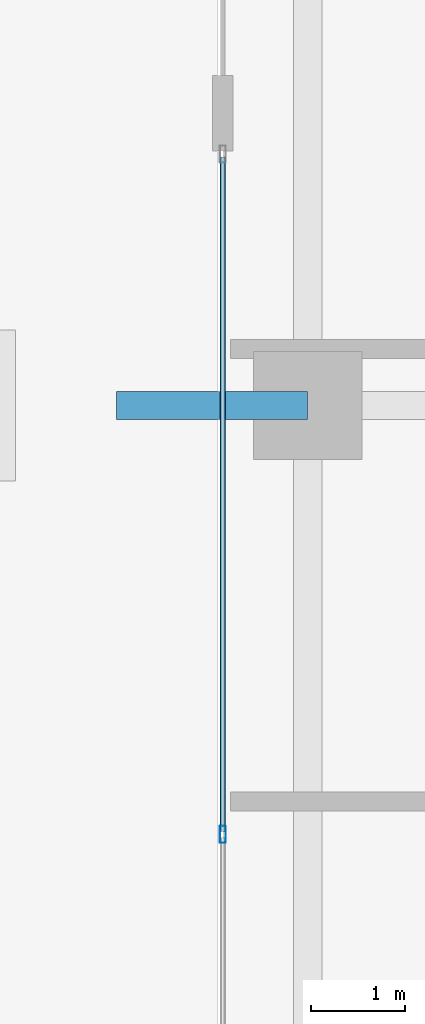
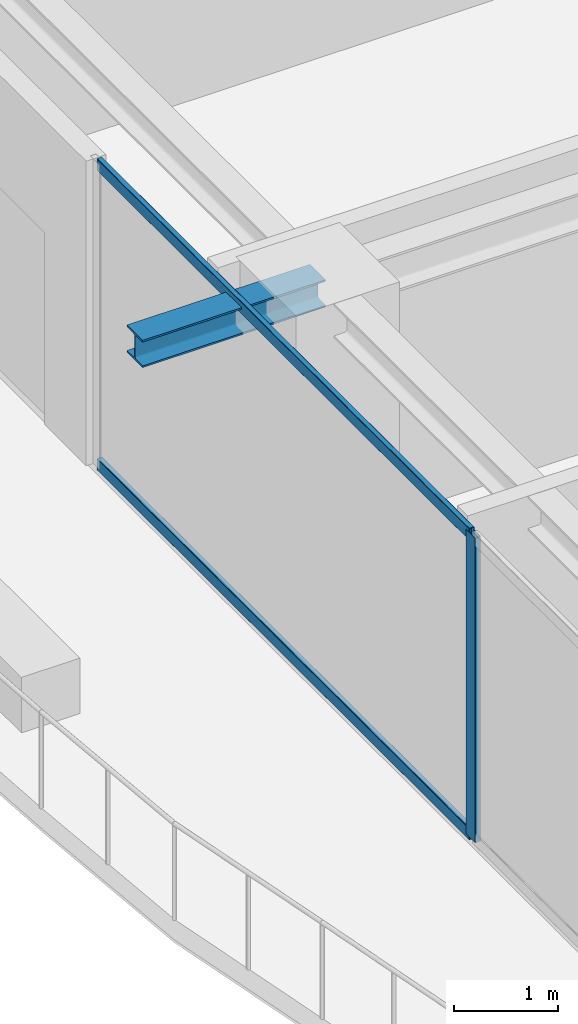
# One storey, part 8 of 36: 3 members, 1 beam, 1 element without a shape of its own.
"""IFC4 building model written with IfcOpenShell, lengths in metres."""

from ifc_helpers import new_model, si_unit, direction, frame, origin, origin_2d, place, context, subcontext, project, spatial, hollow_rectangle, i_section, extrude, source, transform, mapped, material, layer, layer_set, material_profile, profile_set, type_object, element, aggregate, save


model = new_model("IFC4")

# Units and contexts
model_context = context("Model", 3, precision=1e-05, world=origin(), true_north=direction((0.0, 1.0)))
body_context = subcontext(model_context, "Body", "Model", "MODEL_VIEW")
ifc_project = project(units=[si_unit("LENGTHUNIT", "METRE"), si_unit("AREAUNIT", "SQUARE_METRE"), si_unit("VOLUMEUNIT", "CUBIC_METRE"), si_unit("PLANEANGLEUNIT", "RADIAN"), si_unit("MASSUNIT", "GRAM", prefix="KILO")], contexts=[model_context])

# Site, building, storey
site_placement = place(None, origin())
site = spatial("IfcSite", under=ifc_project, at=site_placement, CompositionType="ELEMENT")
building_placement = place(site_placement, origin())
building = spatial("IfcBuilding", under=site, at=building_placement, Name="Serunith Strait Residences", CompositionType="ELEMENT")
storey_placement = place(building_placement, frame((0.0, 0.0, 272.050048828125)))
storey = spatial("IfcBuildingStorey", under=building, at=storey_placement, Name="L68", CompositionType="ELEMENT", Elevation=272.050048828125)

# Beam
ifc_material_1 = material(Name="Steel S355J2", Category="steel")
ifc_material_profile_1 = material_profile(ifc_material_1, i_section(OverallWidth=0.300048828125, OverallDepth=0.320068359375, WebThickness=0.011474609375, FlangeThickness=0.0205078125, FilletRadius=0.027099609375, at=origin_2d()), Name="HEB 320")
ifc_profile_set_1 = profile_set([ifc_material_profile_1], Name="Steel S355J2")
beam_type = type_object("IfcBeamType", Name="BM-HEB320", PredefinedType="BEAM", material=ifc_profile_set_1)
shared_shape_1 = source(origin(), body_context, "Body", "SweptSolid", [
    extrude(i_section(OverallWidth=0.300048828125, OverallDepth=0.320068359375, WebThickness=0.011474609375, FlangeThickness=0.0205078125, FilletRadius=0.027099609375, at=origin_2d()), origin(), (0.0, 0.0, 1.0), 2.030029296875),
])
beam_placement = place(storey_placement, frame((8.300048828125, 21.0, 3.39697265625), z_axis=(-1.0, 0.0, 0.0), x_axis=(0.0, -1.0, 0.0)))
element("IfcBeam", 1, at=beam_placement, inside=storey, type_object=beam_type, Name="L69 Cantilevered Balcony Rib TC-W2", PredefinedType="BEAM", context=body_context, shape_type="MappedRepresentation", body=[
    mapped(shared_shape_1, transform((0.0, 0.0, 0.0), scale=1.0)),
])

# Curtain wall, members
ifc_material_2 = material(Name="Pale-Champagne Anodised Aluminium", Category="aluminium")
ifc_layer = layer(ifc_material_2, 0.199951171875, Name="Pale-Champagne Anodised Aluminium")
ifc_layer_set = layer_set([ifc_layer], Name="Pale-Champagne Anodised Aluminium")
curtain_wall_type = type_object("IfcCurtainWallType", Name="CW-SYS4", PredefinedType="NOTDEFINED", material=ifc_layer_set)
curtain_wall_placement = place(storey_placement, origin())
curtain_wall = element("IfcCurtainWall", 2, at=curtain_wall_placement, inside=storey, type_object=curtain_wall_type, Name="L68 W Unitised Fritted Curtain Wall", PredefinedType="NOTDEFINED")
ifc_material_profile_2 = material_profile(ifc_material_2, hollow_rectangle(XDim=0.06494140625, YDim=0.179931640625, WallThickness=0.00341796875, InnerFilletRadius=0.00537109375, OuterFilletRadius=0.0087890625, at=origin_2d()), Name="ALU 180x65x3.5")
ifc_profile_set_2 = profile_set([ifc_material_profile_2], Name="Pale-Champagne Anodised Aluminium")
member_type_1 = type_object("IfcMemberType", Name="CW-SYS4-MULL", PredefinedType="MULLION", material=ifc_profile_set_2)
shared_shape_2 = source(origin(), body_context, "Body", "SweptSolid", [
    extrude(hollow_rectangle(XDim=0.06494140625, YDim=0.179931640625, WallThickness=0.00341796875, InnerFilletRadius=0.00537109375, OuterFilletRadius=0.0087890625, at=origin_2d()), origin(), (0.0, 0.0, 1.0), 3.574951171875),
])
member_1_placement = place(storey_placement, frame((7.39990234375, 16.449951171875, 0.0), z_axis=(0.0, 0.0, 1.0), x_axis=(1.0, 0.0, 0.0)))
member_1 = element("IfcMember", 3, at=member_1_placement, type_object=member_type_1, Name="CW-4 mullion 2", PredefinedType="MULLION", context=body_context, shape_type="MappedRepresentation", body=[
    mapped(shared_shape_2, transform((0.0, 0.0, 0.0), scale=1.0)),
])
ifc_material_profile_3 = material_profile(ifc_material_2, hollow_rectangle(XDim=0.06005859375, YDim=0.139892578125, WallThickness=0.00341796875, InnerFilletRadius=0.00537109375, OuterFilletRadius=0.0087890625, at=origin_2d()), Name="ALU 140x60x3.5")
ifc_profile_set_3 = profile_set([ifc_material_profile_3], Name="Pale-Champagne Anodised Aluminium")
member_type_2 = type_object("IfcMemberType", Name="CW-SYS4-TRAN", PredefinedType="USERDEFINED", material=ifc_profile_set_3)
shared_shape_3 = source(origin(), body_context, "Body", "SweptSolid", [
    extrude(hollow_rectangle(XDim=0.06005859375, YDim=0.139892578125, WallThickness=0.00341796875, InnerFilletRadius=0.00537109375, OuterFilletRadius=0.0087890625, at=origin_2d()), origin(), (0.0, 0.0, 1.0), 7.152587890625),
])
member_2_placement = place(storey_placement, frame((7.39990234375, 23.635009765625, 0.030029296875), z_axis=(0.0, -1.0, 0.0), x_axis=(1.0, 0.0, 0.0)))
member_2 = element("IfcMember", 4, at=member_2_placement, type_object=member_type_2, Name="CW-4 transom 1.1", ObjectType="TRANSOM", PredefinedType="USERDEFINED", context=body_context, shape_type="MappedRepresentation", body=[
    mapped(shared_shape_3, transform((0.0, 0.0, 0.0), scale=1.0)),
])
member_3_placement = place(storey_placement, frame((7.39990234375, 23.635009765625, 3.544921875), z_axis=(0.0, -1.0, 0.0), x_axis=(1.0, 0.0, 0.0)))
member_3 = element("IfcMember", 5, at=member_3_placement, type_object=member_type_2, Name="CW-4 transom 1.2", ObjectType="TRANSOM", PredefinedType="USERDEFINED", context=body_context, shape_type="MappedRepresentation", body=[
    mapped(shared_shape_3, transform((0.0, 0.0, 0.0), scale=1.0)),
])
aggregate(curtain_wall, [member_1, member_2, member_3])

save(model, "model.ifc")
